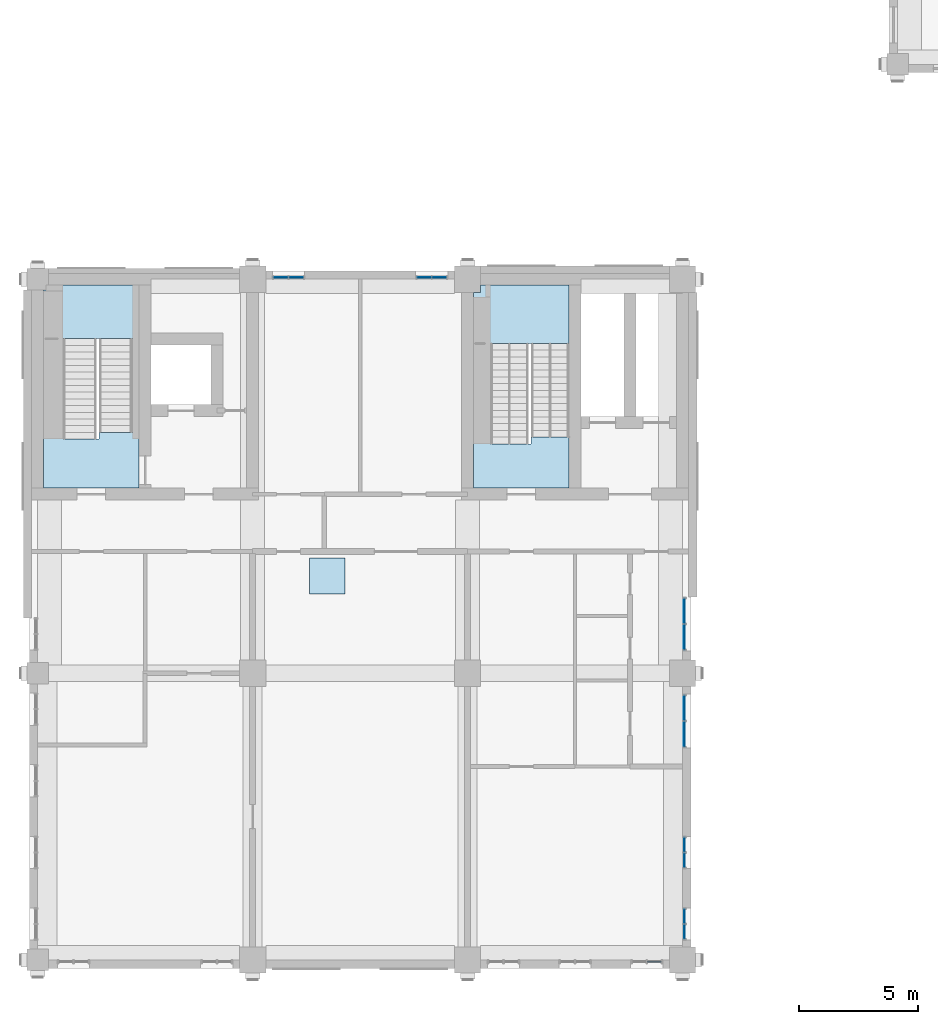
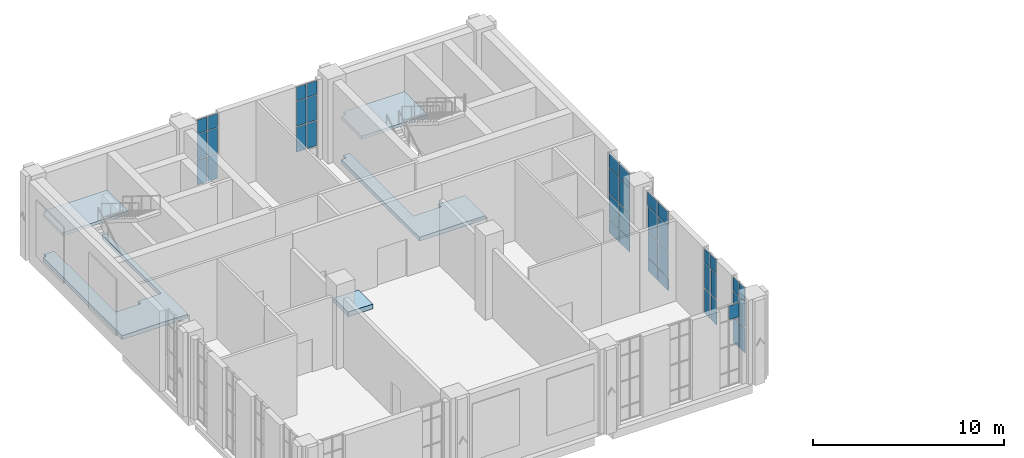
# One storey, part 18 of 39: 41 plates, 5 slabs, 9 elements without a shape of their own.
"""IFC4 building model written with IfcOpenShell, lengths in metres."""

from ifc_helpers import new_model, si_unit, direction, frame, origin, origin_2d, place, context, subcontext, project, spatial, polyline, rectangle, outline, extrude, material, layer, layer_set, type_object, element, aggregate, save


model = new_model("IFC4")

# Units and contexts
model_context = context("Model", 3, precision=1e-05, world=origin(), true_north=direction((0.0, 1.0)))
body_context = subcontext(model_context, "Body", "Model", "MODEL_VIEW")
ifc_project = project(units=[si_unit("LENGTHUNIT", "METRE"), si_unit("AREAUNIT", "SQUARE_METRE"), si_unit("VOLUMEUNIT", "CUBIC_METRE"), si_unit("PLANEANGLEUNIT", "RADIAN"), si_unit("MASSUNIT", "GRAM", prefix="KILO")], contexts=[model_context])

# Site, building, storey
site_placement = place(None, origin())
site = spatial("IfcSite", under=ifc_project, at=site_placement, CompositionType="ELEMENT")
building_placement = place(site_placement, origin())
building = spatial("IfcBuilding", under=site, at=building_placement, Name="Aurelan Courthouse", CompositionType="ELEMENT")
storey_placement = place(building_placement, frame((0.0, 0.0, 28.199951171875)))
storey = spatial("IfcBuildingStorey", under=building, at=storey_placement, Name="L05", CompositionType="ELEMENT", Elevation=28.199951171875)

# Curtain wall, plate
ifc_material_1 = material(Name="Bronze-finished aluminium and glass", Category="aluminium")
ifc_layer_1 = layer(ifc_material_1, 0.14990234375)
ifc_layer_set_1 = layer_set([ifc_layer_1], Name="Bronze-finished aluminium and glass")
curtain_wall_type_1 = type_object("IfcCurtainWallType", Name="Curtain wall 1350 x 5150", PredefinedType="NOTDEFINED", material=ifc_layer_set_1)
curtain_wall_1_placement = place(storey_placement, origin())
curtain_wall_1 = element("IfcCurtainWall", 1, at=curtain_wall_1_placement, inside=storey, type_object=curtain_wall_type_1, Name="Curtain wall CW-V5-L05-S05", PredefinedType="NOTDEFINED")
ifc_material_2 = material(Name="Limestone cladding", Category="masonry")
ifc_layer_2 = layer(ifc_material_2, 0.0400390625, Name="Facing")
ifc_material_3 = material(Name="Bronze sheet cladding", Category="bronze")
ifc_layer_3 = layer(ifc_material_3, 0.02001953125, Name="Back sheet")
ifc_layer_set_2 = layer_set([ifc_layer_2, ifc_layer_3], Name="Limestone cladding")
plate_type_1 = type_object("IfcPlateType", Name="Limestone spandrel panel with bronze back sheet 60", PredefinedType="CURTAIN_PANEL", material=ifc_layer_set_2)
plate_1_placement = place(storey_placement, frame((25.822509765625, -0.074951171875, 4.22998046875), z_axis=(0.0, 0.0, 1.0), x_axis=(1.0, 0.0, 0.0)))
plate_1 = element("IfcPlate", 2, at=plate_1_placement, type_object=plate_type_1, Name="CW-V5-L05-S05 spandrel panel 2.4", PredefinedType="CURTAIN_PANEL", context=body_context, shape_type="SweptSolid", body=[
    extrude(rectangle(XDim=0.5849609375, YDim=0.06005859375, at=origin_2d()), origin(), (0.0, 0.0, 1.0), 0.860107421875),
])
aggregate(curtain_wall_1, [plate_1])

# Curtain wall, plates
curtain_wall_2_placement = place(storey_placement, origin())
curtain_wall_2 = element("IfcCurtainWall", 3, at=curtain_wall_2_placement, inside=storey, type_object=curtain_wall_type_1, Name="Curtain wall CW-V5-L05-N01", PredefinedType="NOTDEFINED")
plate_2_placement = place(storey_placement, frame((10.177490234375, 28.574951171875, 4.22998046875), z_axis=(0.0, 0.0, 1.0), x_axis=(1.0, 0.0, 0.0)))
plate_2 = element("IfcPlate", 4, at=plate_2_placement, type_object=plate_type_1, Name="CW-V5-L05-N01 spandrel panel 1.4", PredefinedType="CURTAIN_PANEL", context=body_context, shape_type="SweptSolid", body=[
    extrude(rectangle(XDim=0.5849609375, YDim=0.06005859375, at=origin_2d()), origin(), (0.0, 0.0, 1.0), 0.860107421875),
])
plate_3_placement = place(storey_placement, frame((10.822509765625, 28.574951171875, 4.22998046875), z_axis=(0.0, 0.0, 1.0), x_axis=(1.0, 0.0, 0.0)))
plate_3 = element("IfcPlate", 5, at=plate_3_placement, type_object=plate_type_1, Name="CW-V5-L05-N01 spandrel panel 2.4", PredefinedType="CURTAIN_PANEL", context=body_context, shape_type="SweptSolid", body=[
    extrude(rectangle(XDim=0.5849609375, YDim=0.06005859375, at=origin_2d()), origin(), (0.0, 0.0, 1.0), 0.860107421875),
])

curtain_wall_3_placement = place(storey_placement, origin())
curtain_wall_3 = element("IfcCurtainWall", 6, at=curtain_wall_3_placement, inside=storey, type_object=curtain_wall_type_1, Name="Curtain wall CW-V5-L05-N02", PredefinedType="NOTDEFINED")
plate_4_placement = place(storey_placement, frame((16.177490234375, 28.574951171875, 4.22998046875), z_axis=(0.0, 0.0, 1.0), x_axis=(1.0, 0.0, 0.0)))
plate_4 = element("IfcPlate", 7, at=plate_4_placement, type_object=plate_type_1, Name="CW-V5-L05-N02 spandrel panel 1.4", PredefinedType="CURTAIN_PANEL", context=body_context, shape_type="SweptSolid", body=[
    extrude(rectangle(XDim=0.5849609375, YDim=0.06005859375, at=origin_2d()), origin(), (0.0, 0.0, 1.0), 0.860107421875),
])
plate_5_placement = place(storey_placement, frame((16.822509765625, 28.574951171875, 4.22998046875), z_axis=(0.0, 0.0, 1.0), x_axis=(1.0, 0.0, 0.0)))
plate_5 = element("IfcPlate", 8, at=plate_5_placement, type_object=plate_type_1, Name="CW-V5-L05-N02 spandrel panel 2.4", PredefinedType="CURTAIN_PANEL", context=body_context, shape_type="SweptSolid", body=[
    extrude(rectangle(XDim=0.5849609375, YDim=0.06005859375, at=origin_2d()), origin(), (0.0, 0.0, 1.0), 0.860107421875),
])

curtain_wall_4_placement = place(storey_placement, origin())
curtain_wall_4 = element("IfcCurtainWall", 9, at=curtain_wall_4_placement, inside=storey, type_object=curtain_wall_type_1, Name="Curtain wall CW-V5-L05-E01", PredefinedType="NOTDEFINED")
plate_6_placement = place(storey_placement, frame((27.074951171875, 1.177490234375, 4.22998046875), z_axis=(0.0, 0.0, 1.0), x_axis=(0.0, 1.0, 0.0)))
plate_6 = element("IfcPlate", 10, at=plate_6_placement, type_object=plate_type_1, Name="CW-V5-L05-E01 spandrel panel 1.4", PredefinedType="CURTAIN_PANEL", context=body_context, shape_type="SweptSolid", body=[
    extrude(rectangle(XDim=0.5849609375, YDim=0.06005859375, at=origin_2d()), origin(), (0.0, 0.0, 1.0), 0.860107421875),
])
plate_7_placement = place(storey_placement, frame((27.074951171875, 1.822509765625, 4.22998046875), z_axis=(0.0, 0.0, 1.0), x_axis=(0.0, 1.0, 0.0)))
plate_7 = element("IfcPlate", 11, at=plate_7_placement, type_object=plate_type_1, Name="CW-V5-L05-E01 spandrel panel 2.4", PredefinedType="CURTAIN_PANEL", context=body_context, shape_type="SweptSolid", body=[
    extrude(rectangle(XDim=0.5849609375, YDim=0.06005859375, at=origin_2d()), origin(), (0.0, 0.0, 1.0), 0.860107421875),
])

curtain_wall_5_placement = place(storey_placement, origin())
curtain_wall_5 = element("IfcCurtainWall", 12, at=curtain_wall_5_placement, inside=storey, type_object=curtain_wall_type_1, Name="Curtain wall CW-V5-L05-E02", PredefinedType="NOTDEFINED")
plate_8_placement = place(storey_placement, frame((27.074951171875, 4.177490234375, 4.22998046875), z_axis=(0.0, 0.0, 1.0), x_axis=(0.0, 1.0, 0.0)))
plate_8 = element("IfcPlate", 13, at=plate_8_placement, type_object=plate_type_1, Name="CW-V5-L05-E02 spandrel panel 1.4", PredefinedType="CURTAIN_PANEL", context=body_context, shape_type="SweptSolid", body=[
    extrude(rectangle(XDim=0.5849609375, YDim=0.06005859375, at=origin_2d()), origin(), (0.0, 0.0, 1.0), 0.860107421875),
])
plate_9_placement = place(storey_placement, frame((27.074951171875, 4.822509765625, 4.22998046875), z_axis=(0.0, 0.0, 1.0), x_axis=(0.0, 1.0, 0.0)))
plate_9 = element("IfcPlate", 14, at=plate_9_placement, type_object=plate_type_1, Name="CW-V5-L05-E02 spandrel panel 2.4", PredefinedType="CURTAIN_PANEL", context=body_context, shape_type="SweptSolid", body=[
    extrude(rectangle(XDim=0.5849609375, YDim=0.06005859375, at=origin_2d()), origin(), (0.0, 0.0, 1.0), 0.860107421875),
])

ifc_layer_4 = layer(ifc_material_1, 0.14990234375)
ifc_layer_set_3 = layer_set([ifc_layer_4], Name="Bronze-finished aluminium and glass")
curtain_wall_type_2 = type_object("IfcCurtainWallType", Name="Curtain wall 2250 x 5150", PredefinedType="NOTDEFINED", material=ifc_layer_set_3)
curtain_wall_6_placement = place(storey_placement, origin())
curtain_wall_6 = element("IfcCurtainWall", 15, at=curtain_wall_6_placement, inside=storey, type_object=curtain_wall_type_2, Name="Curtain wall CW-V5-L05-E03", PredefinedType="NOTDEFINED")
plate_10_placement = place(storey_placement, frame((27.074951171875, 9.452392578125, 4.22998046875), z_axis=(0.0, 0.0, 1.0), x_axis=(0.0, 1.0, 0.0)))
plate_10 = element("IfcPlate", 16, at=plate_10_placement, type_object=plate_type_1, Name="CW-V5-L05-E03 spandrel panel 1.4", PredefinedType="CURTAIN_PANEL", context=body_context, shape_type="SweptSolid", body=[
    extrude(rectangle(XDim=1.034912109375, YDim=0.06005859375, at=origin_2d()), origin(), (0.0, 0.0, 1.0), 0.860107421875),
])
plate_11_placement = place(storey_placement, frame((27.074951171875, 10.547607421875, 4.22998046875), z_axis=(0.0, 0.0, 1.0), x_axis=(0.0, 1.0, 0.0)))
plate_11 = element("IfcPlate", 17, at=plate_11_placement, type_object=plate_type_1, Name="CW-V5-L05-E03 spandrel panel 2.4", PredefinedType="CURTAIN_PANEL", context=body_context, shape_type="SweptSolid", body=[
    extrude(rectangle(XDim=1.034912109375, YDim=0.06005859375, at=origin_2d()), origin(), (0.0, 0.0, 1.0), 0.860107421875),
])

curtain_wall_7_placement = place(storey_placement, origin())
curtain_wall_7 = element("IfcCurtainWall", 18, at=curtain_wall_7_placement, inside=storey, type_object=curtain_wall_type_2, Name="Curtain wall CW-V5-L05-E04", PredefinedType="NOTDEFINED")
plate_12_placement = place(storey_placement, frame((27.074951171875, 13.514892578125, 4.22998046875), z_axis=(0.0, 0.0, 1.0), x_axis=(0.0, 1.0, 0.0)))
plate_12 = element("IfcPlate", 19, at=plate_12_placement, type_object=plate_type_1, Name="CW-V5-L05-E04 spandrel panel 1.4", PredefinedType="CURTAIN_PANEL", context=body_context, shape_type="SweptSolid", body=[
    extrude(rectangle(XDim=1.034912109375, YDim=0.06005859375, at=origin_2d()), origin(), (0.0, 0.0, 1.0), 0.860107421875),
])
plate_13_placement = place(storey_placement, frame((27.074951171875, 14.610107421875, 4.22998046875), z_axis=(0.0, 0.0, 1.0), x_axis=(0.0, 1.0, 0.0)))
plate_13 = element("IfcPlate", 20, at=plate_13_placement, type_object=plate_type_1, Name="CW-V5-L05-E04 spandrel panel 2.4", PredefinedType="CURTAIN_PANEL", context=body_context, shape_type="SweptSolid", body=[
    extrude(rectangle(XDim=1.034912109375, YDim=0.06005859375, at=origin_2d()), origin(), (0.0, 0.0, 1.0), 0.860107421875),
])

# Plate
ifc_material_4 = material(Name="Bronze-finished aluminium", Category="aluminium")
ifc_layer_5 = layer(ifc_material_4, 0.0400390625)
ifc_layer_set_4 = layer_set([ifc_layer_5], Name="Bronze-finished aluminium")
plate_type_2 = type_object("IfcPlateType", Name="Sill panel 40", PredefinedType="CURTAIN_PANEL", material=ifc_layer_set_4)
plate_14_placement = place(storey_placement, frame((27.074951171875, 9.452392578125, 0.06005859375), z_axis=(0.0, 0.0, 1.0), x_axis=(0.0, 1.0, 0.0)))
plate_14 = element("IfcPlate", 21, at=plate_14_placement, type_object=plate_type_2, Name="CW-V5-L05-E03 sill panel 1.1", PredefinedType="CURTAIN_PANEL", context=body_context, shape_type="SweptSolid", body=[
    extrude(rectangle(XDim=1.034912109375, YDim=0.0400390625, at=origin_2d()), origin(), (0.0, 0.0, 1.0), 0.81005859375),
])

plate_15_placement = place(storey_placement, frame((27.074951171875, 10.547607421875, 0.06005859375), z_axis=(0.0, 0.0, 1.0), x_axis=(0.0, 1.0, 0.0)))
plate_15 = element("IfcPlate", 22, at=plate_15_placement, type_object=plate_type_2, Name="CW-V5-L05-E03 sill panel 2.1", PredefinedType="CURTAIN_PANEL", context=body_context, shape_type="SweptSolid", body=[
    extrude(rectangle(XDim=1.034912109375, YDim=0.0400390625, at=origin_2d()), origin(), (0.0, 0.0, 1.0), 0.81005859375),
])

plate_16_placement = place(storey_placement, frame((27.074951171875, 13.514892578125, 0.06005859375), z_axis=(0.0, 0.0, 1.0), x_axis=(0.0, 1.0, 0.0)))
plate_16 = element("IfcPlate", 23, at=plate_16_placement, type_object=plate_type_2, Name="CW-V5-L05-E04 sill panel 1.1", PredefinedType="CURTAIN_PANEL", context=body_context, shape_type="SweptSolid", body=[
    extrude(rectangle(XDim=1.034912109375, YDim=0.0400390625, at=origin_2d()), origin(), (0.0, 0.0, 1.0), 0.81005859375),
])

plate_17_placement = place(storey_placement, frame((27.074951171875, 14.610107421875, 0.06005859375), z_axis=(0.0, 0.0, 1.0), x_axis=(0.0, 1.0, 0.0)))
plate_17 = element("IfcPlate", 24, at=plate_17_placement, type_object=plate_type_2, Name="CW-V5-L05-E04 sill panel 2.1", PredefinedType="CURTAIN_PANEL", context=body_context, shape_type="SweptSolid", body=[
    extrude(rectangle(XDim=1.034912109375, YDim=0.0400390625, at=origin_2d()), origin(), (0.0, 0.0, 1.0), 0.81005859375),
])

# Stair, slab
ifc_material_5 = material(Name="Concrete C30", Category="concrete")
stair_type_1 = type_object("IfcStairType", Name="Half-turn stair 1600 wide 31 risers", PredefinedType="HALF_TURN_STAIR", material=ifc_material_5)
stair_1_placement = place(storey_placement, origin())
stair_1 = element("IfcStair", 25, at=stair_1_placement, inside=storey, type_object=stair_type_1, Name="Stair ST-5A-L05", PredefinedType="HALF_TURN_STAIR")
ifc_layer_6 = layer(ifc_material_5, 0.25)
ifc_layer_set_5 = layer_set([ifc_layer_6], Name="Concrete C30")
slab_type_1 = type_object("IfcSlabType", Name="Stair floor landing 250 thick", PredefinedType="LANDING", material=ifc_layer_set_5)
slab_1_placement = place(storey_placement, frame((0.0, 0.0, -0.25)))
slab_1 = element("IfcSlab", 26, at=slab_1_placement, type_object=slab_type_1, Name="Stair ST-5A-L05 floor landing", PredefinedType="LANDING", context=body_context, shape_type="SweptSolid", body=[
    extrude(outline(polyline([(18.949951171875, 21.611083984375), (20.64990234375, 21.611083984375), (20.64990234375, 21.89111328125), (22.25, 21.89111328125), (22.25, 21.611083984375), (22.25, 21.60888671875), (22.25, 19.75), (18.25, 19.75), (18.25, 27.949951171875), (18.550048828125, 27.949951171875), (18.550048828125, 28.25), (18.949951171875, 28.25), (18.949951171875, 21.611083984375)])), origin(), (0.0, 0.0, 1.0), 0.25),
])

stair_type_2 = type_object("IfcStairType", Name="Half-turn stair 1400 wide 31 risers", PredefinedType="HALF_TURN_STAIR", material=ifc_material_5)
stair_2_placement = place(storey_placement, origin())
stair_2 = element("IfcStair", 27, at=stair_2_placement, inside=storey, type_object=stair_type_2, Name="Stair ST-5B-L05", PredefinedType="HALF_TURN_STAIR")
slab_2_placement = place(storey_placement, frame((0.0, 0.0, -0.25)))
slab_2 = element("IfcSlab", 28, at=slab_2_placement, type_object=slab_type_1, Name="Stair ST-5B-L05 floor landing", PredefinedType="LANDING", context=body_context, shape_type="SweptSolid", body=[
    extrude(outline(polyline([(1.06005859375, 28.25), (1.06005859375, 21.81103515625), (2.56005859375, 21.81103515625), (2.56005859375, 22.091064453125), (3.9599609375, 22.091064453125), (3.9599609375, 28.25), (4.25, 28.25), (4.25, 19.75), (0.409912109375, 19.75), (0.39990234375, 19.75), (0.25, 19.75), (0.25, 28.050048828125), (0.449951171875, 28.050048828125), (0.449951171875, 28.25), (1.06005859375, 28.25)])), origin(), (0.0, 0.0, 1.0), 0.25),
])

# Slab
ifc_layer_7 = layer(ifc_material_5, 0.199951171875)
ifc_layer_set_6 = layer_set([ifc_layer_7], Name="Concrete C30")
slab_type_2 = type_object("IfcSlabType", Name="Stair half landing 200 thick", PredefinedType="LANDING", material=ifc_layer_set_6)
slab_3_placement = place(storey_placement, frame((0.0, 0.0, 2.587158203125)))
slab_3 = element("IfcSlab", 29, at=slab_3_placement, type_object=slab_type_2, Name="Stair ST-5A-L05 half landing", PredefinedType="LANDING", context=body_context, shape_type="SweptSolid", body=[
    extrude(outline(polyline([(18.25, 27.949951171875), (18.550048828125, 27.949951171875), (18.550048828125, 28.25), (22.25, 28.25), (22.25, 25.81005859375), (18.25, 25.81005859375), (18.25, 27.949951171875)])), origin(), (0.0, 0.0, 1.0), 0.199951171875),
])

aggregate(stair_1, [slab_3, slab_1])

slab_4_placement = place(storey_placement, frame((0.0, 0.0, 2.587158203125)))
slab_4 = element("IfcSlab", 30, at=slab_4_placement, type_object=slab_type_2, Name="Stair ST-5B-L05 half landing", PredefinedType="LANDING", context=body_context, shape_type="SweptSolid", body=[
    extrude(outline(polyline([(4.25, 28.25), (4.25, 26.010009765625), (0.25, 26.010009765625), (0.25, 28.050048828125), (0.449951171875, 28.050048828125), (0.449951171875, 28.25), (4.25, 28.25)])), origin(), (0.0, 0.0, 1.0), 0.199951171875),
])

aggregate(stair_2, [slab_4, slab_2])

# Plate
ifc_material_6 = material(Name="Laminated low-emissivity glass", Category="glass")
ifc_layer_8 = layer(ifc_material_6, 0.028076171875)
ifc_layer_set_7 = layer_set([ifc_layer_8], Name="Laminated low-emissivity glass")
plate_type_3 = type_object("IfcPlateType", Name="Vision glass panel 28", PredefinedType="CURTAIN_PANEL", material=ifc_layer_set_7)
plate_18_placement = place(storey_placement, frame((10.177490234375, 28.574951171875, 0.93017578125), z_axis=(0.0, 0.0, 1.0), x_axis=(1.0, 0.0, 0.0)))
plate_18 = element("IfcPlate", 31, at=plate_18_placement, type_object=plate_type_3, Name="CW-V5-L05-N01 vision panel 1.2", PredefinedType="CURTAIN_PANEL", context=body_context, shape_type="SweptSolid", body=[
    extrude(rectangle(XDim=0.5849609375, YDim=0.028076171875, at=origin_2d()), origin(), (0.0, 0.0, 1.0), 1.590087890625),
])

plate_19_placement = place(storey_placement, frame((10.177490234375, 28.574951171875, 2.580078125), z_axis=(0.0, 0.0, 1.0), x_axis=(1.0, 0.0, 0.0)))
plate_19 = element("IfcPlate", 32, at=plate_19_placement, type_object=plate_type_3, Name="CW-V5-L05-N01 vision panel 1.3", PredefinedType="CURTAIN_PANEL", context=body_context, shape_type="SweptSolid", body=[
    extrude(rectangle(XDim=0.5849609375, YDim=0.028076171875, at=origin_2d()), origin(), (0.0, 0.0, 1.0), 1.590087890625),
])

plate_20_placement = place(storey_placement, frame((10.822509765625, 28.574951171875, 0.93017578125), z_axis=(0.0, 0.0, 1.0), x_axis=(1.0, 0.0, 0.0)))
plate_20 = element("IfcPlate", 33, at=plate_20_placement, type_object=plate_type_3, Name="CW-V5-L05-N01 vision panel 2.2", PredefinedType="CURTAIN_PANEL", context=body_context, shape_type="SweptSolid", body=[
    extrude(rectangle(XDim=0.5849609375, YDim=0.028076171875, at=origin_2d()), origin(), (0.0, 0.0, 1.0), 1.590087890625),
])

plate_21_placement = place(storey_placement, frame((10.822509765625, 28.574951171875, 2.580078125), z_axis=(0.0, 0.0, 1.0), x_axis=(1.0, 0.0, 0.0)))
plate_21 = element("IfcPlate", 34, at=plate_21_placement, type_object=plate_type_3, Name="CW-V5-L05-N01 vision panel 2.3", PredefinedType="CURTAIN_PANEL", context=body_context, shape_type="SweptSolid", body=[
    extrude(rectangle(XDim=0.5849609375, YDim=0.028076171875, at=origin_2d()), origin(), (0.0, 0.0, 1.0), 1.590087890625),
])

aggregate(curtain_wall_2, [plate_18, plate_19, plate_2, plate_20, plate_21, plate_3])

plate_22_placement = place(storey_placement, frame((16.177490234375, 28.574951171875, 0.93017578125), z_axis=(0.0, 0.0, 1.0), x_axis=(1.0, 0.0, 0.0)))
plate_22 = element("IfcPlate", 35, at=plate_22_placement, type_object=plate_type_3, Name="CW-V5-L05-N02 vision panel 1.2", PredefinedType="CURTAIN_PANEL", context=body_context, shape_type="SweptSolid", body=[
    extrude(rectangle(XDim=0.5849609375, YDim=0.028076171875, at=origin_2d()), origin(), (0.0, 0.0, 1.0), 1.590087890625),
])

plate_23_placement = place(storey_placement, frame((16.177490234375, 28.574951171875, 2.580078125), z_axis=(0.0, 0.0, 1.0), x_axis=(1.0, 0.0, 0.0)))
plate_23 = element("IfcPlate", 36, at=plate_23_placement, type_object=plate_type_3, Name="CW-V5-L05-N02 vision panel 1.3", PredefinedType="CURTAIN_PANEL", context=body_context, shape_type="SweptSolid", body=[
    extrude(rectangle(XDim=0.5849609375, YDim=0.028076171875, at=origin_2d()), origin(), (0.0, 0.0, 1.0), 1.590087890625),
])

plate_24_placement = place(storey_placement, frame((16.822509765625, 28.574951171875, 0.93017578125), z_axis=(0.0, 0.0, 1.0), x_axis=(1.0, 0.0, 0.0)))
plate_24 = element("IfcPlate", 37, at=plate_24_placement, type_object=plate_type_3, Name="CW-V5-L05-N02 vision panel 2.2", PredefinedType="CURTAIN_PANEL", context=body_context, shape_type="SweptSolid", body=[
    extrude(rectangle(XDim=0.5849609375, YDim=0.028076171875, at=origin_2d()), origin(), (0.0, 0.0, 1.0), 1.590087890625),
])

plate_25_placement = place(storey_placement, frame((16.822509765625, 28.574951171875, 2.580078125), z_axis=(0.0, 0.0, 1.0), x_axis=(1.0, 0.0, 0.0)))
plate_25 = element("IfcPlate", 38, at=plate_25_placement, type_object=plate_type_3, Name="CW-V5-L05-N02 vision panel 2.3", PredefinedType="CURTAIN_PANEL", context=body_context, shape_type="SweptSolid", body=[
    extrude(rectangle(XDim=0.5849609375, YDim=0.028076171875, at=origin_2d()), origin(), (0.0, 0.0, 1.0), 1.590087890625),
])

aggregate(curtain_wall_3, [plate_22, plate_23, plate_4, plate_24, plate_25, plate_5])

plate_26_placement = place(storey_placement, frame((27.074951171875, 1.177490234375, 0.93017578125), z_axis=(0.0, 0.0, 1.0), x_axis=(0.0, 1.0, 0.0)))
plate_26 = element("IfcPlate", 39, at=plate_26_placement, type_object=plate_type_3, Name="CW-V5-L05-E01 vision panel 1.2", PredefinedType="CURTAIN_PANEL", context=body_context, shape_type="SweptSolid", body=[
    extrude(rectangle(XDim=0.5849609375, YDim=0.028076171875, at=origin_2d()), origin(), (0.0, 0.0, 1.0), 1.590087890625),
])

plate_27_placement = place(storey_placement, frame((27.074951171875, 1.177490234375, 2.580078125), z_axis=(0.0, 0.0, 1.0), x_axis=(0.0, 1.0, 0.0)))
plate_27 = element("IfcPlate", 40, at=plate_27_placement, type_object=plate_type_3, Name="CW-V5-L05-E01 vision panel 1.3", PredefinedType="CURTAIN_PANEL", context=body_context, shape_type="SweptSolid", body=[
    extrude(rectangle(XDim=0.5849609375, YDim=0.028076171875, at=origin_2d()), origin(), (0.0, 0.0, 1.0), 1.590087890625),
])

plate_28_placement = place(storey_placement, frame((27.074951171875, 1.822509765625, 0.93017578125), z_axis=(0.0, 0.0, 1.0), x_axis=(0.0, 1.0, 0.0)))
plate_28 = element("IfcPlate", 41, at=plate_28_placement, type_object=plate_type_3, Name="CW-V5-L05-E01 vision panel 2.2", PredefinedType="CURTAIN_PANEL", context=body_context, shape_type="SweptSolid", body=[
    extrude(rectangle(XDim=0.5849609375, YDim=0.028076171875, at=origin_2d()), origin(), (0.0, 0.0, 1.0), 1.590087890625),
])

plate_29_placement = place(storey_placement, frame((27.074951171875, 1.822509765625, 2.580078125), z_axis=(0.0, 0.0, 1.0), x_axis=(0.0, 1.0, 0.0)))
plate_29 = element("IfcPlate", 42, at=plate_29_placement, type_object=plate_type_3, Name="CW-V5-L05-E01 vision panel 2.3", PredefinedType="CURTAIN_PANEL", context=body_context, shape_type="SweptSolid", body=[
    extrude(rectangle(XDim=0.5849609375, YDim=0.028076171875, at=origin_2d()), origin(), (0.0, 0.0, 1.0), 1.590087890625),
])

aggregate(curtain_wall_4, [plate_26, plate_27, plate_6, plate_28, plate_29, plate_7])

plate_30_placement = place(storey_placement, frame((27.074951171875, 4.177490234375, 0.93017578125), z_axis=(0.0, 0.0, 1.0), x_axis=(0.0, 1.0, 0.0)))
plate_30 = element("IfcPlate", 43, at=plate_30_placement, type_object=plate_type_3, Name="CW-V5-L05-E02 vision panel 1.2", PredefinedType="CURTAIN_PANEL", context=body_context, shape_type="SweptSolid", body=[
    extrude(rectangle(XDim=0.5849609375, YDim=0.028076171875, at=origin_2d()), origin(), (0.0, 0.0, 1.0), 1.590087890625),
])

plate_31_placement = place(storey_placement, frame((27.074951171875, 4.177490234375, 2.580078125), z_axis=(0.0, 0.0, 1.0), x_axis=(0.0, 1.0, 0.0)))
plate_31 = element("IfcPlate", 44, at=plate_31_placement, type_object=plate_type_3, Name="CW-V5-L05-E02 vision panel 1.3", PredefinedType="CURTAIN_PANEL", context=body_context, shape_type="SweptSolid", body=[
    extrude(rectangle(XDim=0.5849609375, YDim=0.028076171875, at=origin_2d()), origin(), (0.0, 0.0, 1.0), 1.590087890625),
])

plate_32_placement = place(storey_placement, frame((27.074951171875, 4.822509765625, 0.93017578125), z_axis=(0.0, 0.0, 1.0), x_axis=(0.0, 1.0, 0.0)))
plate_32 = element("IfcPlate", 45, at=plate_32_placement, type_object=plate_type_3, Name="CW-V5-L05-E02 vision panel 2.2", PredefinedType="CURTAIN_PANEL", context=body_context, shape_type="SweptSolid", body=[
    extrude(rectangle(XDim=0.5849609375, YDim=0.028076171875, at=origin_2d()), origin(), (0.0, 0.0, 1.0), 1.590087890625),
])

plate_33_placement = place(storey_placement, frame((27.074951171875, 4.822509765625, 2.580078125), z_axis=(0.0, 0.0, 1.0), x_axis=(0.0, 1.0, 0.0)))
plate_33 = element("IfcPlate", 46, at=plate_33_placement, type_object=plate_type_3, Name="CW-V5-L05-E02 vision panel 2.3", PredefinedType="CURTAIN_PANEL", context=body_context, shape_type="SweptSolid", body=[
    extrude(rectangle(XDim=0.5849609375, YDim=0.028076171875, at=origin_2d()), origin(), (0.0, 0.0, 1.0), 1.590087890625),
])

aggregate(curtain_wall_5, [plate_30, plate_31, plate_8, plate_32, plate_33, plate_9])

plate_34_placement = place(storey_placement, frame((27.074951171875, 9.452392578125, 0.93017578125), z_axis=(0.0, 0.0, 1.0), x_axis=(0.0, 1.0, 0.0)))
plate_34 = element("IfcPlate", 47, at=plate_34_placement, type_object=plate_type_3, Name="CW-V5-L05-E03 vision panel 1.2", PredefinedType="CURTAIN_PANEL", context=body_context, shape_type="SweptSolid", body=[
    extrude(rectangle(XDim=1.034912109375, YDim=0.028076171875, at=origin_2d()), origin(), (0.0, 0.0, 1.0), 1.590087890625),
])

plate_35_placement = place(storey_placement, frame((27.074951171875, 9.452392578125, 2.580078125), z_axis=(0.0, 0.0, 1.0), x_axis=(0.0, 1.0, 0.0)))
plate_35 = element("IfcPlate", 48, at=plate_35_placement, type_object=plate_type_3, Name="CW-V5-L05-E03 vision panel 1.3", PredefinedType="CURTAIN_PANEL", context=body_context, shape_type="SweptSolid", body=[
    extrude(rectangle(XDim=1.034912109375, YDim=0.028076171875, at=origin_2d()), origin(), (0.0, 0.0, 1.0), 1.590087890625),
])

plate_36_placement = place(storey_placement, frame((27.074951171875, 10.547607421875, 0.93017578125), z_axis=(0.0, 0.0, 1.0), x_axis=(0.0, 1.0, 0.0)))
plate_36 = element("IfcPlate", 49, at=plate_36_placement, type_object=plate_type_3, Name="CW-V5-L05-E03 vision panel 2.2", PredefinedType="CURTAIN_PANEL", context=body_context, shape_type="SweptSolid", body=[
    extrude(rectangle(XDim=1.034912109375, YDim=0.028076171875, at=origin_2d()), origin(), (0.0, 0.0, 1.0), 1.590087890625),
])

plate_37_placement = place(storey_placement, frame((27.074951171875, 10.547607421875, 2.580078125), z_axis=(0.0, 0.0, 1.0), x_axis=(0.0, 1.0, 0.0)))
plate_37 = element("IfcPlate", 50, at=plate_37_placement, type_object=plate_type_3, Name="CW-V5-L05-E03 vision panel 2.3", PredefinedType="CURTAIN_PANEL", context=body_context, shape_type="SweptSolid", body=[
    extrude(rectangle(XDim=1.034912109375, YDim=0.028076171875, at=origin_2d()), origin(), (0.0, 0.0, 1.0), 1.590087890625),
])

aggregate(curtain_wall_6, [plate_14, plate_34, plate_35, plate_10, plate_15, plate_36, plate_37, plate_11])

plate_38_placement = place(storey_placement, frame((27.074951171875, 13.514892578125, 0.93017578125), z_axis=(0.0, 0.0, 1.0), x_axis=(0.0, 1.0, 0.0)))
plate_38 = element("IfcPlate", 51, at=plate_38_placement, type_object=plate_type_3, Name="CW-V5-L05-E04 vision panel 1.2", PredefinedType="CURTAIN_PANEL", context=body_context, shape_type="SweptSolid", body=[
    extrude(rectangle(XDim=1.034912109375, YDim=0.028076171875, at=origin_2d()), origin(), (0.0, 0.0, 1.0), 1.590087890625),
])

plate_39_placement = place(storey_placement, frame((27.074951171875, 13.514892578125, 2.580078125), z_axis=(0.0, 0.0, 1.0), x_axis=(0.0, 1.0, 0.0)))
plate_39 = element("IfcPlate", 52, at=plate_39_placement, type_object=plate_type_3, Name="CW-V5-L05-E04 vision panel 1.3", PredefinedType="CURTAIN_PANEL", context=body_context, shape_type="SweptSolid", body=[
    extrude(rectangle(XDim=1.034912109375, YDim=0.028076171875, at=origin_2d()), origin(), (0.0, 0.0, 1.0), 1.590087890625),
])

plate_40_placement = place(storey_placement, frame((27.074951171875, 14.610107421875, 0.93017578125), z_axis=(0.0, 0.0, 1.0), x_axis=(0.0, 1.0, 0.0)))
plate_40 = element("IfcPlate", 53, at=plate_40_placement, type_object=plate_type_3, Name="CW-V5-L05-E04 vision panel 2.2", PredefinedType="CURTAIN_PANEL", context=body_context, shape_type="SweptSolid", body=[
    extrude(rectangle(XDim=1.034912109375, YDim=0.028076171875, at=origin_2d()), origin(), (0.0, 0.0, 1.0), 1.590087890625),
])

plate_41_placement = place(storey_placement, frame((27.074951171875, 14.610107421875, 2.580078125), z_axis=(0.0, 0.0, 1.0), x_axis=(0.0, 1.0, 0.0)))
plate_41 = element("IfcPlate", 54, at=plate_41_placement, type_object=plate_type_3, Name="CW-V5-L05-E04 vision panel 2.3", PredefinedType="CURTAIN_PANEL", context=body_context, shape_type="SweptSolid", body=[
    extrude(rectangle(XDim=1.034912109375, YDim=0.028076171875, at=origin_2d()), origin(), (0.0, 0.0, 1.0), 1.590087890625),
])

aggregate(curtain_wall_7, [plate_16, plate_38, plate_39, plate_12, plate_17, plate_40, plate_41, plate_13])

# Slab
ifc_layer_9 = layer(ifc_material_5, 0.300048828125)
ifc_layer_set_8 = layer_set([ifc_layer_9], Name="Concrete C30")
slab_type_3 = type_object("IfcSlabType", Name="Witness dais 300", PredefinedType="FLOOR", material=ifc_layer_set_8)
slab_5_placement = place(storey_placement, origin())
element("IfcSlab", 55, at=slab_5_placement, inside=storey, type_object=slab_type_3, Name="Witness dais Family Courtroom 5.05.01", PredefinedType="FLOOR", context=body_context, shape_type="SweptSolid", body=[
    extrude(outline(polyline([(11.375, 15.324951171875), (12.875, 15.324951171875), (12.875, 16.824951171875), (11.375, 16.824951171875), (11.375, 15.324951171875)])), origin(), (0.0, 0.0, 1.0), 0.300048828125),
])

save(model, "model.ifc")
